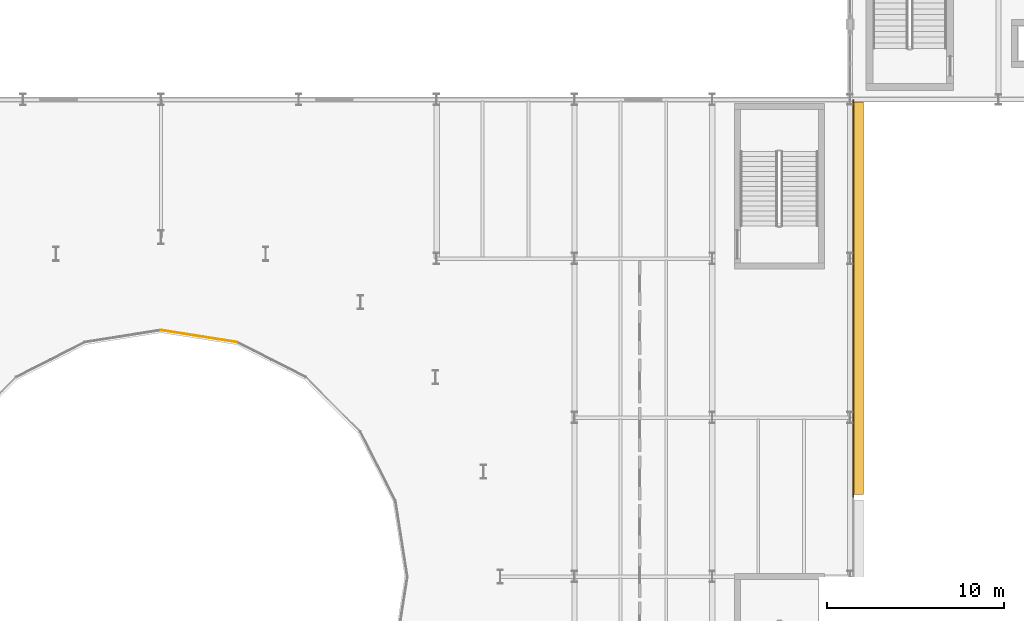
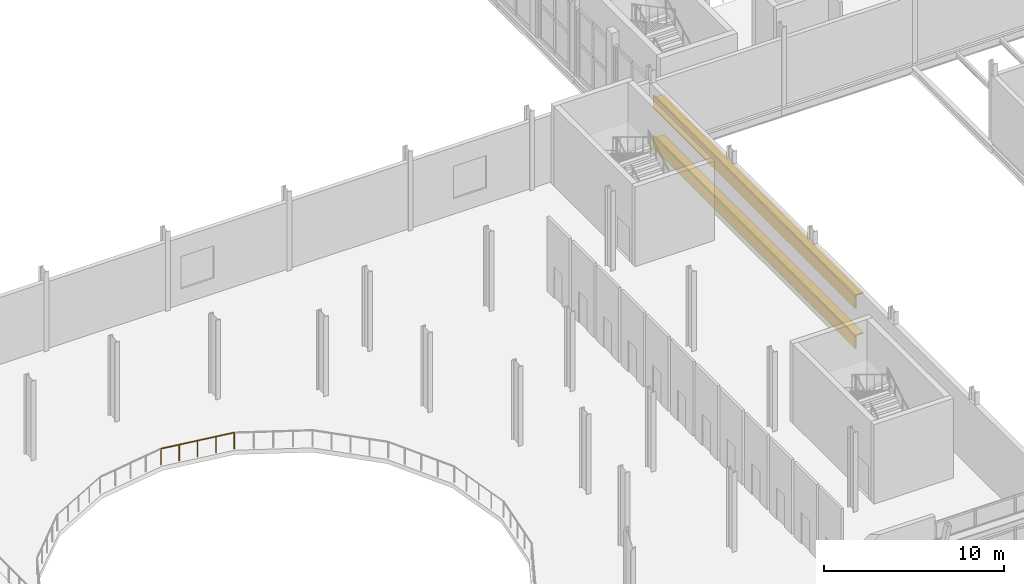
# One storey, part 67 of 78: 2 coverings, 2 shading devices, 1 railing.
"""IFC4 building model written with IfcOpenShell, lengths in metres."""

from ifc_helpers import new_model, si_unit, direction, frame, origin, origin_2d, place, context, subcontext, project, spatial, rectangle, circle, extrude, material, layer, layer_set, type_object, element, save


model = new_model("IFC4")

# Units and contexts
model_context = context("Model", 3, precision=1e-05, world=origin(), true_north=direction((0.0, 1.0)))
body_context = subcontext(model_context, "Body", "Model", "MODEL_VIEW")
ifc_project = project(units=[si_unit("LENGTHUNIT", "METRE"), si_unit("AREAUNIT", "SQUARE_METRE"), si_unit("VOLUMEUNIT", "CUBIC_METRE"), si_unit("PLANEANGLEUNIT", "RADIAN"), si_unit("MASSUNIT", "GRAM", prefix="KILO")], contexts=[model_context])

# Site, building, storey
site_placement = place(None, origin())
site = spatial("IfcSite", under=ifc_project, at=site_placement, CompositionType="ELEMENT")
building_placement = place(site_placement, origin())
building = spatial("IfcBuilding", under=site, at=building_placement, Name="Sefraquen Railside Congress Hotel", CompositionType="ELEMENT")
storey_placement = place(building_placement, frame((0.0, 0.0, 6.0)))
storey = spatial("IfcBuildingStorey", under=building, at=storey_placement, Name="L01", CompositionType="ELEMENT", Elevation=6.0)

# Coverings
ifc_material_1 = material(Name="Patinated architectural bronze", Category="metal")
ifc_layer_1 = layer(ifc_material_1, 0.080078125)
ifc_layer_set_1 = layer_set([ifc_layer_1], Name="Patinated architectural bronze")
covering_type = type_object("IfcCoveringType", Name="TCV-CLAD-01", PredefinedType="CLADDING", material=ifc_layer_set_1)
for number, where, z_axis, x_axis, name in (
    (1, (103.3798828125, 42.75, -0.10498046875), (0.0, 0.0, 1.0), (1.0, 0.0, 0.0), "Congress horizontal bronze cladding band L01-E2"),
    (2, (103.3798828125, 42.75, 2.625), (0.0, 0.0, 1.0), (1.0, 0.0, 0.0), "Congress horizontal bronze cladding band L01-E2-B"),
):
    element("IfcCovering", number, at=place(storey_placement, frame(where, z_axis=z_axis, x_axis=x_axis)), inside=storey, type_object=covering_type, Name=name, PredefinedType="CLADDING", context=body_context, shape_type="SweptSolid", body=[
        extrude(rectangle(XDim=0.080078125, YDim=22.5, at=origin_2d()), origin(), (0.0, 0.0, 1.0), 0.85009765625),
    ])

# Railing
ifc_material_2 = material(Name="Patinated wrought architectural bronze", Category="metal")
railing_type = type_object("IfcRailingType", Name="TRL-BAL-110", PredefinedType="BALUSTRADE", material=ifc_material_2)
railing_placement = place(storey_placement, frame((68.5107421875, 40.26708984375, 0.0)))
element("IfcRailing", 3, at=railing_placement, inside=storey, type_object=railing_type, Name="Congress Hall L01 balcony bowl balustrade", PredefinedType="BALUSTRADE", context=body_context, shape_type="SweptSolid", body=[
    extrude(circle(Radius=0.02392578125, at=origin_2d()), frame((0.0, 0.0, 1.09619140625), z_axis=(-0.987684831918, 0.156456616349, 0.0), x_axis=(-0.156456616349, -0.987684831918, 0.0)), (0.0, 0.0, 1.0), 4.364501953125),
    extrude(circle(Radius=0.02099609375, at=origin_2d()), origin(), (0.0, 0.0, 1.0), 1.072021484375),
    extrude(circle(Radius=0.02099609375, at=origin_2d()), frame((-1.07763671875, 0.170654296875, 0.0)), (0.0, 0.0, 1.0), 1.072021484375),
    extrude(circle(Radius=0.02099609375, at=origin_2d()), frame((-2.1552734375, 0.34130859375, 0.0)), (0.0, 0.0, 1.0), 1.072021484375),
    extrude(circle(Radius=0.02099609375, at=origin_2d()), frame((-3.233154296875, 0.51220703125, 0.0)), (0.0, 0.0, 1.0), 1.072021484375),
    extrude(circle(Radius=0.02099609375, at=origin_2d()), frame((-4.310791015625, 0.682861328125, 0.0)), (0.0, 0.0, 1.0), 1.072021484375),
])

# Shading devices
ifc_layer_2 = layer(ifc_material_1, 0.06005859375)
ifc_layer_set_2 = layer_set([ifc_layer_2], Name="Patinated architectural bronze")
shading_device_type = type_object("IfcShadingDeviceType", Name="TSH-BS-01", PredefinedType="USERDEFINED", material=ifc_layer_set_2)
for number, where, z_axis, x_axis, name in (
    (4, (103.679931640625, 42.75, 0.639892578125), (0.0, 0.0, 1.0), (1.0, 0.0, 0.0), "Congress east horizontal brise-soleil L01-E2"),
    (5, (103.679931640625, 42.75, 3.369873046875), (0.0, 0.0, 1.0), (1.0, 0.0, 0.0), "Congress east horizontal brise-soleil L01-E2-B"),
):
    element("IfcShadingDevice", number, at=place(storey_placement, frame(where, z_axis=z_axis, x_axis=x_axis)), inside=storey, type_object=shading_device_type, Name=name, ObjectType="BRISE SOLEIL", PredefinedType="USERDEFINED", context=body_context, shape_type="SweptSolid", body=[
        extrude(rectangle(XDim=0.550048828125, YDim=22.199951171875, at=origin_2d()), origin(), (0.0, 0.0, 1.0), 0.06005859375),
    ])

save(model, "model.ifc")
